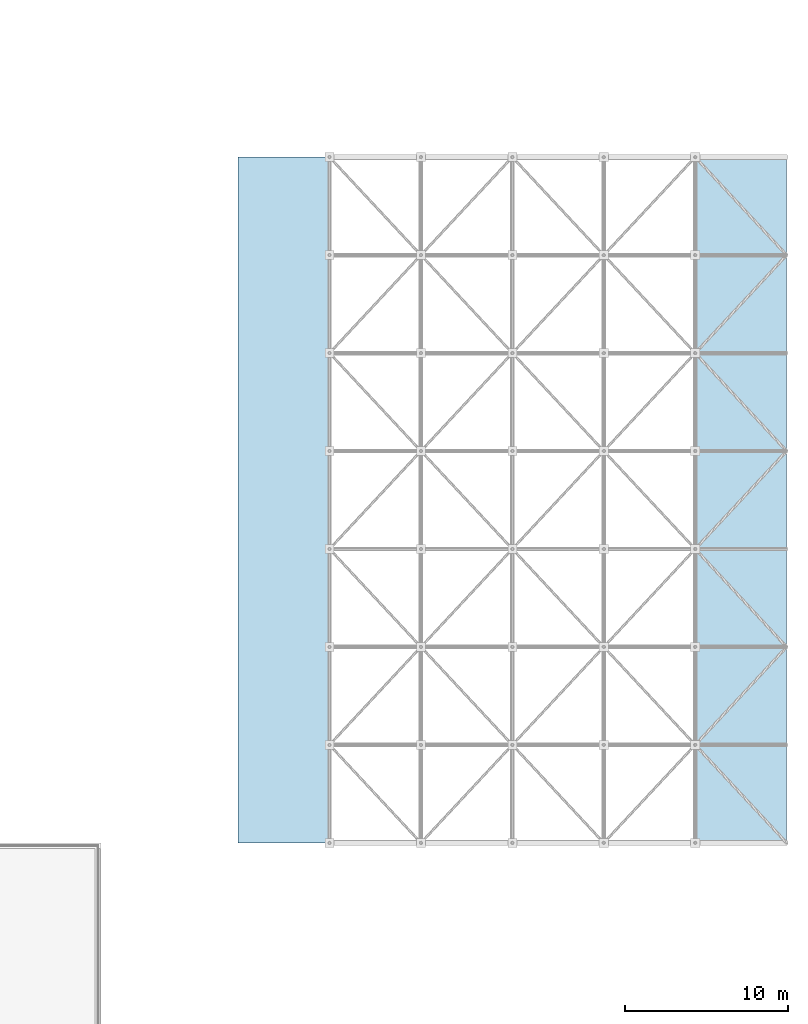
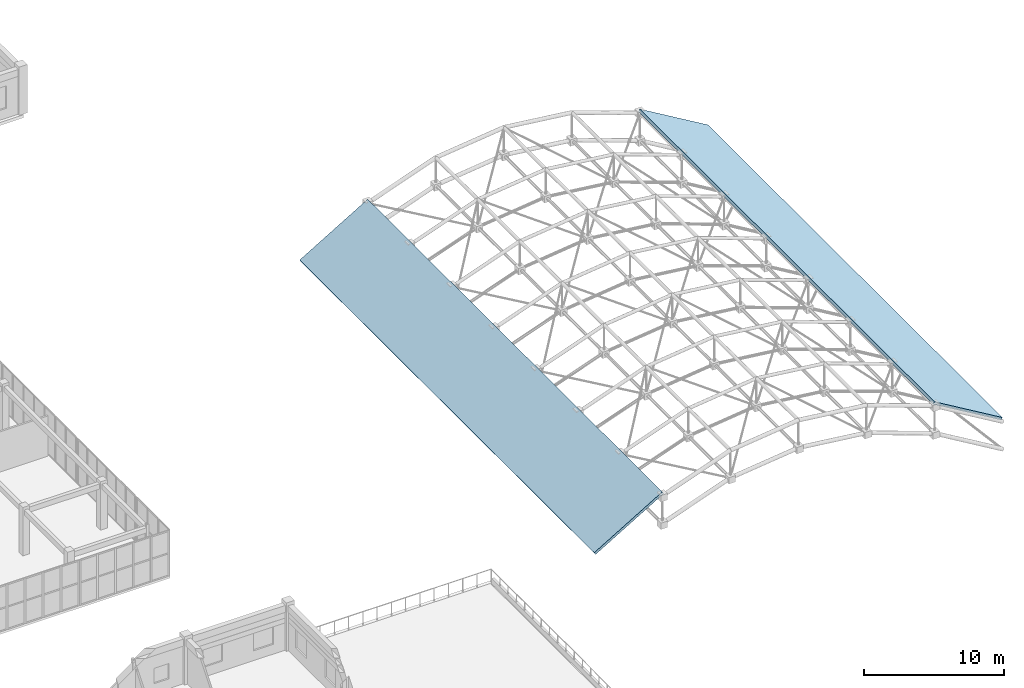
# One storey, part 105 of 140: 2 slabs.
"""IFC4 building model written with IfcOpenShell, lengths in metres."""

from ifc_helpers import new_model, si_unit, direction, frame, origin, place, context, subcontext, project, spatial, polyline, outline, extrude, material, layer, layer_set, type_object, element, save


model = new_model("IFC4")

# Units and contexts
model_context = context("Model", 3, precision=1e-05, world=origin(), true_north=direction((0.0, 1.0)))
body_context = subcontext(model_context, "Body", "Model", "MODEL_VIEW")
ifc_project = project(units=[si_unit("LENGTHUNIT", "METRE"), si_unit("AREAUNIT", "SQUARE_METRE"), si_unit("VOLUMEUNIT", "CUBIC_METRE"), si_unit("PLANEANGLEUNIT", "RADIAN"), si_unit("MASSUNIT", "GRAM", prefix="KILO")], contexts=[model_context])

# Site, building, storey
site_placement = place(None, origin())
site = spatial("IfcSite", under=ifc_project, at=site_placement, CompositionType="ELEMENT")
building_placement = place(site_placement, origin())
building = spatial("IfcBuilding", under=site, at=building_placement, Name="Trelvath General Hospital", CompositionType="ELEMENT")
storey_placement = place(building_placement, frame((0.0, 0.0, 16.199951171875)))
storey = spatial("IfcBuildingStorey", under=building, at=storey_placement, Name="L04", CompositionType="ELEMENT", Elevation=16.199951171875)

# Slabs
ifc_material = material(Name="Concrete C35/45", Category="concrete")
ifc_layer = layer(ifc_material, 0.219970703125)
ifc_layer_set = layer_set([ifc_layer], Name="Concrete C35/45")
slab_type = type_object("IfcSlabType", Name="RoofSlab Folded220", PredefinedType="ROOF", material=ifc_layer_set)
for number, where, z_axis, x_axis, name in (
    (1, (142.800048828125, 25.199951171875, -0.56005859375), (-0.511512179779, 0.0, 0.859276026628), (0.859276026628, 0.0, 0.511512179779), "Space Frame Vaulted Roof Facet 1"),
    (2, (170.800048828125, 25.199951171875, 2.7734375), (0.511512179779, 0.0, 0.859276026628), (0.859276026628, 0.0, -0.511512179779), "Space Frame Vaulted Roof Facet 6"),
):
    element("IfcSlab", number, at=place(storey_placement, frame(where, z_axis=z_axis, x_axis=x_axis)), inside=storey, type_object=slab_type, Name=name, PredefinedType="ROOF", context=body_context, shape_type="SweptSolid", body=[
        extrude(outline(polyline([(0.0, 0.0), (6.516943731804363, 0.0), (6.516943731804363, 42.0), (0.0, 42.0), (0.0, 0.0)])), origin(), (0.0, 0.0, -1.0), 0.219970703125),
    ])

save(model, "model.ifc")
